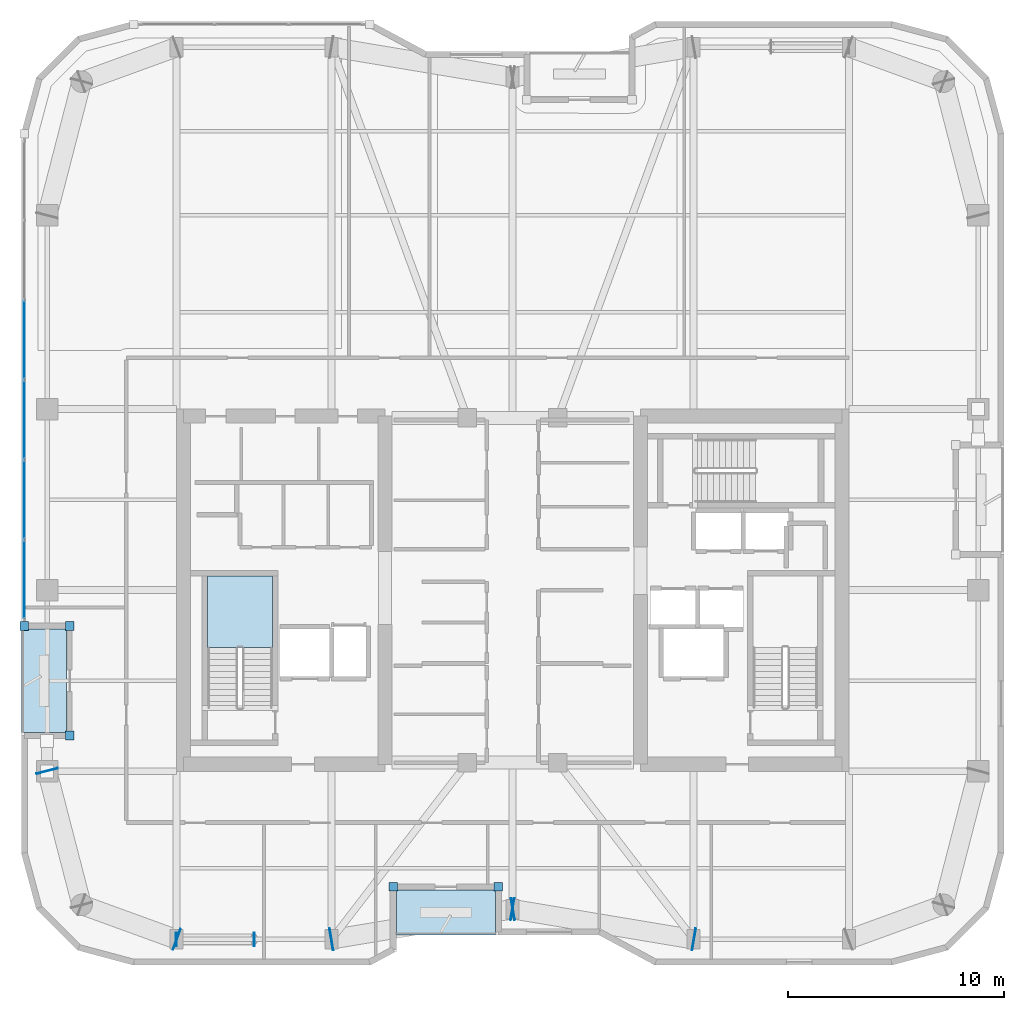
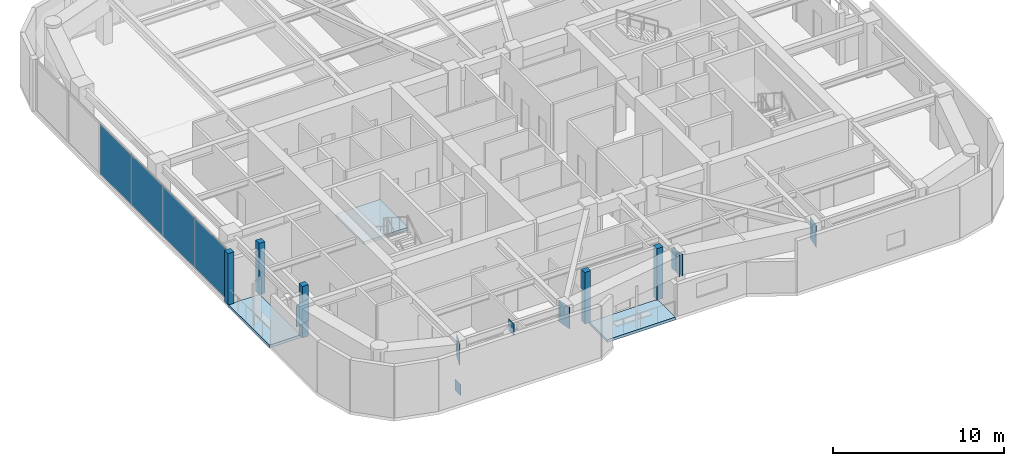
# One storey, part 12 of 21: 17 plates, 3 slabs, 2 elements without a shape of their own.
"""IFC4 building model written with IfcOpenShell, lengths in metres."""

from ifc_helpers import new_model, si_unit, direction, frame, origin, origin_2d, place, context, subcontext, project, spatial, polyline, rectangle, outline, extrude, material, layer, layer_set, type_object, element, aggregate, save


model = new_model("IFC4")

# Units and contexts
model_context = context("Model", 3, precision=1e-05, world=origin(), true_north=direction((0.0, 1.0)))
body_context = subcontext(model_context, "Body", "Model", "MODEL_VIEW")
ifc_project = project(units=[si_unit("LENGTHUNIT", "METRE"), si_unit("AREAUNIT", "SQUARE_METRE"), si_unit("VOLUMEUNIT", "CUBIC_METRE"), si_unit("PLANEANGLEUNIT", "RADIAN"), si_unit("MASSUNIT", "GRAM", prefix="KILO")], contexts=[model_context])

# Site, building, storey
site_placement = place(None, origin())
site = spatial("IfcSite", under=ifc_project, at=site_placement, CompositionType="ELEMENT")
building_placement = place(site_placement, origin())
building = spatial("IfcBuilding", under=site, at=building_placement, Name="Kiyonajd Concourse Tower", CompositionType="ELEMENT")
storey_placement = place(building_placement, frame((0.0, 0.0, 247.199951171875)))
storey = spatial("IfcBuildingStorey", under=building, at=storey_placement, Name="L62", CompositionType="ELEMENT", Elevation=247.199951171875)

# Plates
ifc_material_1 = material(Name="Steel ASTM A572 Grade 50", Category="steel")
ifc_layer_1 = layer(ifc_material_1, 0.028076171875)
ifc_layer_set_1 = layer_set([ifc_layer_1], Name="Steel ASTM A572 Grade 50")
plate_type_1 = type_object("IfcPlateType", Name="PL-CAP-450", PredefinedType="USERDEFINED", material=ifc_layer_set_1)
for number, where, z_axis, x_axis, name in (
    (1, (32.3916015625, 19.800048828125, -0.10888671875), (0.0, 0.0, 1.0), (-1.0, 0.0, 0.0), "L62 Hollow Brace End Cap Plate PBS"),
    (2, (36.00830078125, 19.800048828125, 2.93505859375), (0.0, 0.0, 1.0), (1.0, 0.0, 0.0), "L62 Hollow Brace Top Cap Plate PBS"),
):
    element("IfcPlate", number, at=place(storey_placement, frame(where, z_axis=z_axis, x_axis=x_axis)), inside=storey, type_object=plate_type_1, Name=name, ObjectType="CAP PLATE", PredefinedType="USERDEFINED", context=body_context, shape_type="SweptSolid", body=[
        extrude(rectangle(XDim=0.035888671875, YDim=0.6279296875, at=origin_2d()), origin(), (0.0, 0.0, 1.0), 0.803955078125),
    ])
ifc_layer_2 = layer(ifc_material_1, 0.031982421875)
ifc_layer_set_2 = layer_set([ifc_layer_2], Name="Steel ASTM A572 Grade 50")
plate_type_2 = type_object("IfcPlateType", Name="PL-CAP-540", PredefinedType="USERDEFINED", material=ifc_layer_set_2)
for number, where, z_axis, x_axis, name in (
    (3, (26.397216796875, 27.610595703125, 2.2099609375), (0.0, 0.0, 1.0), (-0.249873048837, 0.968278606324, 0.0), "L62 Welded Box Girder End Cap"),
    (4, (32.410400390625, 19.796142578125, 2.2099609375), (0.0, 0.0, 1.0), (0.939811951086, -0.341692107891, 0.0), "L62 Welded Box Girder End Cap"),
    (5, (39.589111328125, 19.798095703125, 2.2099609375), (0.0, 0.0, 1.0), (-0.986400586142, -0.164359008451, 0.0), "L62 Welded Box Girder End Cap"),
    (6, (48.010986328125, 21.201904296875, 2.2099609375), (0.0, 0.0, 1.0), (0.986400586142, 0.164359008451, 0.0), "L62 Welded Box Girder End Cap"),
    (7, (47.989013671875, 21.201904296875, 2.2099609375), (0.0, 0.0, 1.0), (-0.986400586142, 0.164359008451, 0.0), "L62 Welded Box Girder End Cap"),
    (8, (56.410888671875, 19.798095703125, 2.2099609375), (0.0, 0.0, 1.0), (0.986400586142, -0.164359008451, 0.0), "L62 Welded Box Girder End Cap"),
):
    element("IfcPlate", number, at=place(storey_placement, frame(where, z_axis=z_axis, x_axis=x_axis)), inside=storey, type_object=plate_type_2, Name=name, ObjectType="CAP PLATE", PredefinedType="USERDEFINED", context=body_context, shape_type="SweptSolid", body=[
        extrude(rectangle(XDim=0.035888671875, YDim=1.02001953125, at=origin_2d()), origin(), (0.0, 0.0, 1.0), 1.5400390625),
    ])

# Curtain wall, plates
ifc_material_2 = material(Name="Thermally Broken Anodised Aluminium", Category="aluminium")
ifc_layer_3 = layer(ifc_material_2, 0.179931640625)
ifc_layer_set_3 = layer_set([ifc_layer_3], Name="Thermally Broken Anodised Aluminium")
curtain_wall_type = type_object("IfcCurtainWallType", Name="CW-SYS-04", PredefinedType="NOTDEFINED", material=ifc_layer_set_3)
curtain_wall_placement = place(storey_placement, origin())
curtain_wall = element("IfcCurtainWall", 9, at=curtain_wall_placement, inside=storey, type_object=curtain_wall_type, Name="L62 Unitised Curtain Wall CW4", PredefinedType="NOTDEFINED")
ifc_material_3 = material(Name="Double Low-E Insulated Glass", Category="glass")
ifc_layer_4 = layer(ifc_material_3, 0.033935546875)
ifc_layer_set_4 = layer_set([ifc_layer_4], Name="Double Low-E Insulated Glass")
plate_type_3 = type_object("IfcPlateType", Name="PL-CW-VIS34", PredefinedType="CURTAIN_PANEL", material=ifc_layer_set_4)
plate_1_placement = place(storey_placement, frame((25.340087890625, 36.50146484375, 0.06494140625), z_axis=(0.0, 0.0, 1.0), x_axis=(0.0, 1.0, 0.0)))
plate_1 = element("IfcPlate", 10, at=plate_1_placement, type_object=plate_type_3, Name="CW4 panel 1.1", PredefinedType="CURTAIN_PANEL", context=body_context, shape_type="SweptSolid", body=[
    extrude(rectangle(XDim=3.61279296875, YDim=0.033935546875, at=origin_2d()), origin(), (0.0, 0.0, 1.0), 3.550048828125),
])
plate_2_placement = place(storey_placement, frame((25.340087890625, 40.1953125, 0.06494140625), z_axis=(0.0, 0.0, 1.0), x_axis=(0.0, 1.0, 0.0)))
plate_2 = element("IfcPlate", 11, at=plate_2_placement, type_object=plate_type_3, Name="CW4 panel 2.1", PredefinedType="CURTAIN_PANEL", context=body_context, shape_type="SweptSolid", body=[
    extrude(rectangle(XDim=3.645263671875, YDim=0.033935546875, at=origin_2d()), origin(), (0.0, 0.0, 1.0), 3.550048828125),
])
plate_3_placement = place(storey_placement, frame((25.340087890625, 43.90576171875, 0.06494140625), z_axis=(0.0, 0.0, 1.0), x_axis=(0.0, 1.0, 0.0)))
plate_3 = element("IfcPlate", 12, at=plate_3_placement, type_object=plate_type_3, Name="CW4 panel 3.1", PredefinedType="CURTAIN_PANEL", context=body_context, shape_type="SweptSolid", body=[
    extrude(rectangle(XDim=3.645263671875, YDim=0.033935546875, at=origin_2d()), origin(), (0.0, 0.0, 1.0), 3.550048828125),
])
plate_4_placement = place(storey_placement, frame((25.340087890625, 47.615966796875, 0.06494140625), z_axis=(0.0, 0.0, 1.0), x_axis=(0.0, 1.0, 0.0)))
plate_4 = element("IfcPlate", 13, at=plate_4_placement, type_object=plate_type_3, Name="CW4 panel 4.1", PredefinedType="CURTAIN_PANEL", context=body_context, shape_type="SweptSolid", body=[
    extrude(rectangle(XDim=3.645263671875, YDim=0.033935546875, at=origin_2d()), origin(), (0.0, 0.0, 1.0), 3.550048828125),
])
aggregate(curtain_wall, [plate_1, plate_2, plate_3, plate_4])

# Plates
ifc_layer_5 = layer(ifc_material_2, 0.39990234375)
ifc_layer_set_5 = layer_set([ifc_layer_5], Name="Thermally Broken Anodised Aluminium")
plate_type_4 = type_object("IfcPlateType", Name="PL-JMB-400", PredefinedType="USERDEFINED", material=ifc_layer_set_5)
for number, where, z_axis, x_axis, name in (
    (14, (27.43994140625, 29.260009765625, 0.0), (0.0, 0.0, 1.0), (1.0, 0.0, 0.0), "L62 Facade Jamb Closure Plate 01"),
    (15, (27.43994140625, 34.340087890625, 0.0), (0.0, 0.0, 1.0), (1.0, 0.0, 0.0), "L62 Facade Jamb Closure Plate 02"),
    (16, (25.340087890625, 34.340087890625, 0.0), (0.0, 0.0, 1.0), (1.0, 0.0, 0.0), "L62 Facade Jamb Closure Plate 03"),
    (17, (47.340087890625, 22.239990234375, 0.0), (0.0, 0.0, 1.0), (1.0, 0.0, 0.0), "L62 Facade Jamb Closure Plate 11"),
    (18, (42.4599609375, 22.239990234375, 0.0), (0.0, 0.0, 1.0), (1.0, 0.0, 0.0), "L62 Facade Jamb Closure Plate 12"),
):
    element("IfcPlate", number, at=place(storey_placement, frame(where, z_axis=z_axis, x_axis=x_axis)), inside=storey, type_object=plate_type_4, Name=name, ObjectType="JAMB PLATE", PredefinedType="USERDEFINED", context=body_context, shape_type="SweptSolid", body=[
        extrude(rectangle(XDim=0.39990234375, YDim=0.39990234375, at=origin_2d()), origin(), (0.0, 0.0, 1.0), 3.679931640625),
    ])

# Stair, slab
ifc_material_4 = material(Name="Concrete C40/50", Category="concrete")
stair_type = type_object("IfcStairType", Name="ST-DLG-22R", PredefinedType="HALF_TURN_STAIR", material=ifc_material_4)
stair_placement = place(storey_placement, origin())
stair = element("IfcStair", 19, at=stair_placement, inside=storey, type_object=stair_type, Name="L62 Protected Exit Stair ST1", PredefinedType="HALF_TURN_STAIR")
ifc_layer_6 = layer(ifc_material_4, 0.199951171875)
ifc_layer_set_6 = layer_set([ifc_layer_6], Name="Concrete C40/50")
slab_type_1 = type_object("IfcSlabType", Name="SL-LND-200", PredefinedType="LANDING", material=ifc_layer_set_6)
slab_1_placement = place(storey_placement, frame((0.0, 0.0, 1.75)))
slab_1 = element("IfcSlab", 20, at=slab_1_placement, type_object=slab_type_1, Name="ST1 landing 1", PredefinedType="LANDING", context=body_context, shape_type="SweptSolid", body=[
    extrude(outline(polyline([(36.85009765625, 33.35009765625), (36.85009765625, 36.64990234375), (33.85009765625, 36.64990234375), (33.85009765625, 33.35009765625), (36.85009765625, 33.35009765625)])), origin(), (0.0, 0.0, 1.0), 0.199951171875),
])
aggregate(stair, [slab_1])

# Slabs
ifc_material_5 = material(Name="Precast concrete C50/60", Category="concrete")
ifc_layer_7 = layer(ifc_material_5, 0.199951171875)
ifc_layer_set_7 = layer_set([ifc_layer_7], Name="Precast concrete C50/60")
slab_type_2 = type_object("IfcSlabType", Name="SL-LOG-200", PredefinedType="FLOOR", material=ifc_layer_set_7)
slab_2_placement = place(storey_placement, frame((0.0, 0.0, -0.199951171875)))
element("IfcSlab", 21, at=slab_2_placement, inside=storey, type_object=slab_type_2, Name="L62 Recessed Engawa Loggia Terrace Slab LOG-S", PredefinedType="FLOOR", context=body_context, shape_type="SweptSolid", body=[
    extrude(outline(polyline([(42.60009765625, 20.0), (47.199951171875, 20.0), (47.199951171875, 22.10009765625), (42.60009765625, 22.10009765625), (42.60009765625, 20.0)])), origin(), (0.0, 0.0, 1.0), 0.199951171875),
])
slab_3_placement = place(storey_placement, frame((0.0, 0.0, -0.199951171875)))
element("IfcSlab", 22, at=slab_3_placement, inside=storey, type_object=slab_type_2, Name="L62 Recessed Engawa Loggia Terrace Slab LOG-W", PredefinedType="FLOOR", context=body_context, shape_type="SweptSolid", body=[
    extrude(outline(polyline([(25.199951171875, 29.39990234375), (27.300048828125, 29.39990234375), (27.300048828125, 34.199951171875), (25.199951171875, 34.199951171875), (25.199951171875, 29.39990234375)])), origin(), (0.0, 0.0, 1.0), 0.199951171875),
])

save(model, "model.ifc")
